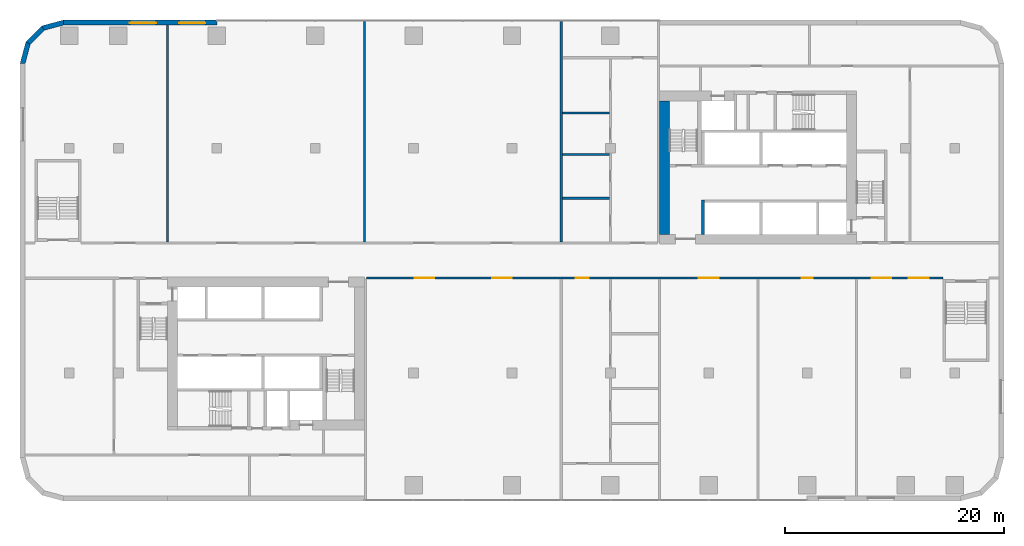
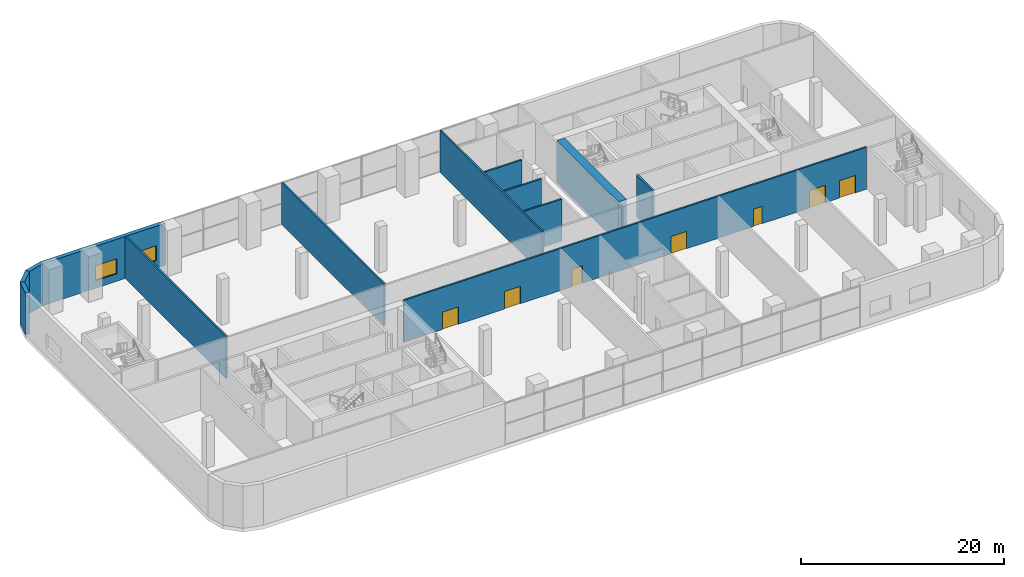
# One storey, part 11 of 21: 13 walls, 7 doors, 2 windows, 9 openings.
"""IFC4 building model written with IfcOpenShell, lengths in metres."""

from ifc_helpers import new_model, si_unit, direction, frame, frame_2d, origin, place, context, subcontext, project, spatial, polyline, rectangle, outline, extrude, material, layer, layer_set, type_object, element, fill, save


model = new_model("IFC4")

# Units and contexts
model_context = context("Model", 3, precision=1e-05, world=origin(), true_north=direction((0.0, 1.0)))
body_context = subcontext(model_context, "Body", "Model", "MODEL_VIEW")
ifc_project = project(units=[si_unit("LENGTHUNIT", "METRE"), si_unit("AREAUNIT", "SQUARE_METRE"), si_unit("VOLUMEUNIT", "CUBIC_METRE"), si_unit("PLANEANGLEUNIT", "RADIAN"), si_unit("MASSUNIT", "GRAM", prefix="KILO")], contexts=[model_context])

# Site, building, storey
site_placement = place(None, origin())
site = spatial("IfcSite", under=ifc_project, at=site_placement, CompositionType="ELEMENT")
building_placement = place(site_placement, origin())
building = spatial("IfcBuilding", under=site, at=building_placement, Name="Kajstack Hotel Tower", CompositionType="ELEMENT")
storey_placement = place(building_placement, frame((0.0, 0.0, 23.5)))
storey = spatial("IfcBuildingStorey", under=building, at=storey_placement, Name="L03", CompositionType="ELEMENT", Elevation=23.5)

# Wall
ifc_material_1 = material(Name="Concrete C60/75", Category="concrete")
ifc_layer_1 = layer(ifc_material_1, 0.89990234375)
ifc_layer_set_1 = layer_set([ifc_layer_1], Name="Core wall 900")
wall_type_1 = type_object("IfcWallType", Name="Core wall 900", PredefinedType="SHEAR", material=ifc_layer_set_1)
wall_1_placement = place(storey_placement, frame((13.949951171875, 2.39990234375, 0.0), z_axis=(0.0, 0.0, 1.0), x_axis=(0.0, 1.0, 0.0)))
element("IfcWall", 1, at=wall_1_placement, inside=storey, type_object=wall_type_1, Name="Core wall E RE", PredefinedType="SHEAR", context=body_context, shape_type="SweptSolid", body=[
    extrude(rectangle(XDim=12.2001953125, YDim=0.89990234375, at=frame_2d((6.10009765625, 0.0))), origin(), (0.0, 0.0, 1.0), 5.050048828125),
])

# Wall, openings, windows
ifc_material_2 = material(Name="Terracotta-faced brick masonry", Category="masonry")
ifc_layer_2 = layer(ifc_material_2, 0.449951171875)
ifc_layer_set_2 = layer_set([ifc_layer_2], Name="EW-TERRA")
wall_type_2 = type_object("IfcWallType", Name="EW-TERRA", PredefinedType="SOLIDWALL", material=ifc_layer_set_2)
wall_2_placement = place(storey_placement, frame((-27.0, 21.77490234375, 0.0), z_axis=(0.0, 0.0, 1.0), x_axis=(-1.0, 0.0, 0.0)))
wall_2 = element("IfcWall", 2, at=wall_2_placement, inside=storey, type_object=wall_type_2, Name="E-wall-L03-11-03", PredefinedType="SOLIDWALL", context=body_context, shape_type="SweptSolid", body=[
    extrude(rectangle(XDim=14.0, YDim=0.449951171875, at=frame_2d((7.0, 0.0))), origin(), (0.0, 0.0, 1.0), 5.050048828125),
])
opening_1_placement = place(wall_2_placement, frame((1.050048828125, 0.0, 0.89990234375)))
opening_1 = element("IfcOpeningElement", 3, at=opening_1_placement, cuts=wall_2, Name="Opening W4", PredefinedType="OPENING", context=body_context, shape_type="SweptSolid", body=[
    extrude(rectangle(XDim=2.39990234375, YDim=1.800048828125, at=frame_2d((1.199951171875, 0.89990234375))), frame((0.0, 0.23486328125, 0.0), z_axis=(0.0, -1.0, 0.0), x_axis=(1.0, 0.0, 0.0)), (0.0, 0.0, 1.0), 0.469970703125),
])
opening_2_placement = place(wall_2_placement, frame((5.550048828125, 0.0, 0.89990234375)))
opening_2 = element("IfcOpeningElement", 4, at=opening_2_placement, cuts=wall_2, Name="Opening W4", PredefinedType="OPENING", context=body_context, shape_type="SweptSolid", body=[
    extrude(rectangle(XDim=2.39990234375, YDim=1.800048828125, at=frame_2d((1.199951171875, 0.89990234375))), frame((0.0, 0.23486328125, 0.0), z_axis=(0.0, -1.0, 0.0), x_axis=(1.0, 0.0, 0.0)), (0.0, 0.0, 1.0), 0.469970703125),
])
ifc_material_3 = material(Name="Timber-aluminium window, triple glazed", Category="wood")
window_type = type_object("IfcWindowType", Name="WP1", PartitioningType="SINGLE_PANEL", PredefinedType="WINDOW", material=ifc_material_3)
window_1_placement = place(opening_1_placement, origin())
window_1 = element("IfcWindow", 5, at=window_1_placement, inside=storey, type_object=window_type, Name="Window W4 L03-11", OverallHeight=1.800048828125, OverallWidth=2.39990234375, PartitioningType="SINGLE_PANEL", PredefinedType="WINDOW", context=body_context, shape_type="SweptSolid", body=[
    extrude(rectangle(XDim=2.39990234375, YDim=1.800048828125, at=frame_2d((1.199951171875, 0.89990234375))), frame((0.0, 0.090087890625, 0.0), z_axis=(0.0, -1.0, 0.0), x_axis=(1.0, 0.0, 0.0)), (0.0, 0.0, 1.0), 0.06005859375),
])
fill(opening_1, window_1)
window_2_placement = place(opening_2_placement, origin())
window_2 = element("IfcWindow", 6, at=window_2_placement, inside=storey, type_object=window_type, Name="Window W4 L03-11", OverallHeight=1.800048828125, OverallWidth=2.39990234375, PartitioningType="SINGLE_PANEL", PredefinedType="WINDOW", context=body_context, shape_type="SweptSolid", body=[
    extrude(rectangle(XDim=2.39990234375, YDim=1.800048828125, at=frame_2d((1.199951171875, 0.89990234375))), frame((0.0, 0.090087890625, 0.0), z_axis=(0.0, -1.0, 0.0), x_axis=(1.0, 0.0, 0.0)), (0.0, 0.0, 1.0), 0.06005859375),
])
fill(opening_2, window_2)

# Walls
wall_3_placement = place(storey_placement, frame((-40.941650390625, 21.78271484375, 0.0), z_axis=(0.0, 0.0, 1.0), x_axis=(-0.965926999034, -0.25881466832, 0.0)))
element("IfcWall", 7, at=wall_3_placement, inside=storey, type_object=wall_type_2, Name="E-wall-L03-12-00", PredefinedType="SOLIDWALL", context=body_context, shape_type="SweptSolid", body=[
    extrude(outline(polyline([(0.000244140625, -0.22509765625), (2.070556640625, -0.224853515625), (1.9501953125, 0.22509765625), (0.12060546875, 0.22509765625), (0.000244140625, -0.22509765625)])), origin(), (0.0, 0.0, 1.0), 5.050048828125),
])
wall_4_placement = place(storey_placement, frame((-42.8408203125, 21.304931640625, 0.0), z_axis=(0.0, 0.0, 1.0), x_axis=(-0.707106781187, -0.707106781187, 0.0)))
element("IfcWall", 8, at=wall_4_placement, inside=storey, type_object=wall_type_2, Name="E-wall-L03-13-00", PredefinedType="SOLIDWALL", context=body_context, shape_type="SweptSolid", body=[
    extrude(outline(polyline([(0.0, -0.22509765625), (2.070556640625, -0.22509765625), (1.949951171875, 0.224853515625), (0.12060546875, 0.224853515625), (0.0, -0.22509765625)])), origin(), (0.0, 0.0, 1.0), 5.050048828125),
])
wall_5_placement = place(storey_placement, frame((-44.246826171875, 19.941650390625, 0.0), z_axis=(0.0, 0.0, 1.0), x_axis=(-0.25881466832, -0.965926999034, 0.0)))
element("IfcWall", 9, at=wall_5_placement, inside=storey, type_object=wall_type_2, Name="E-wall-L03-14-00", PredefinedType="SOLIDWALL", context=body_context, shape_type="SweptSolid", body=[
    extrude(outline(polyline([(-0.000244140625, -0.224853515625), (2.0703125, -0.22509765625), (1.949951171875, 0.22509765625), (0.120361328125, 0.22509765625), (-0.000244140625, -0.224853515625)])), origin(), (0.0, 0.0, 1.0), 5.050048828125),
])
ifc_material_4 = material(Name="Gypsum board on steel studs, mineral wool", Category="steel")
ifc_layer_3 = layer(ifc_material_4, 0.199951171875)
ifc_layer_set_3 = layer_set([ifc_layer_3], Name="Public partition 200")
wall_type_3 = type_object("IfcWallType", Name="Public partition 200", PredefinedType="PARTITIONING", material=ifc_layer_set_3)
for number, where, z_axis, x_axis, name in (
    (10, (4.60009765625, 5.699951171875, 0.0), (0.0, 0.0, 1.0), (1.0, 0.0, 0.0), "Partition C0wP0"),
    (11, (4.60009765625, 9.699951171875, 0.0), (0.0, 0.0, 1.0), (1.0, 0.0, 0.0), "Partition C0wP1"),
    (12, (4.60009765625, 13.5, 0.0), (0.0, 0.0, 1.0), (1.0, 0.0, 0.0), "Partition C0wP2"),
):
    element("IfcWall", number, at=place(storey_placement, frame(where, z_axis=z_axis, x_axis=x_axis)), inside=storey, type_object=wall_type_3, Name=name, PredefinedType="PARTITIONING", context=body_context, shape_type="SweptSolid", body=[
        extrude(rectangle(XDim=4.2998046875, YDim=0.199951171875, at=frame_2d((2.14990234375, 0.0))), origin(), (0.0, 0.0, 1.0), 5.050048828125),
    ])
for number, where, z_axis, x_axis, name in (
    (13, (4.5, 1.699951171875, 0.0), (0.0, 0.0, 1.0), (0.0, 1.0, 0.0), "Partition PX0"),
    (14, (-13.5, 1.699951171875, 0.0), (0.0, 0.0, 1.0), (0.0, 1.0, 0.0), "Partition PX1"),
):
    element("IfcWall", number, at=place(storey_placement, frame(where, z_axis=z_axis, x_axis=x_axis)), inside=storey, type_object=wall_type_3, Name=name, PredefinedType="PARTITIONING", context=body_context, shape_type="SweptSolid", body=[
        extrude(rectangle(XDim=20.150146484375, YDim=0.199951171875, at=frame_2d((10.0751953125, 0.0))), origin(), (0.0, 0.0, 1.0), 5.050048828125),
    ])
wall_6_placement = place(storey_placement, frame((-31.5, 1.699951171875, 0.0), z_axis=(0.0, 0.0, 1.0), x_axis=(0.0, 1.0, 0.0)))
element("IfcWall", 15, at=wall_6_placement, inside=storey, type_object=wall_type_3, Name="Partition PX2", PredefinedType="PARTITIONING", context=body_context, shape_type="SweptSolid", body=[
    extrude(rectangle(XDim=19.85009765625, YDim=0.199951171875, at=frame_2d((9.925048828125, 0.0))), origin(), (0.0, 0.0, 1.0), 5.050048828125),
])

# Wall, openings, doors
wall_7_placement = place(storey_placement, frame((-13.300048828125, -1.60009765625, 0.0), z_axis=(0.0, 0.0, 1.0), x_axis=(1.0, 0.0, 0.0)))
wall_7 = element("IfcWall", 16, at=wall_7_placement, inside=storey, type_object=wall_type_3, Name="Partition SFW", PredefinedType="PARTITIONING", context=body_context, shape_type="SweptSolid", body=[
    extrude(rectangle(XDim=52.699951171875, YDim=0.199951171875, at=frame_2d((26.35009765625, 0.0))), origin(), (0.0, 0.0, 1.0), 5.050048828125),
])
opening_3_placement = place(wall_7_placement, frame((4.409912109375, 0.0, 0.0)))
opening_3 = element("IfcOpeningElement", 17, at=opening_3_placement, cuts=wall_7, Name="Opening 03P12", PredefinedType="OPENING", context=body_context, shape_type="SweptSolid", body=[
    extrude(rectangle(XDim=1.800048828125, YDim=2.10009765625, at=frame_2d((0.89990234375, 1.050048828125))), frame((0.0, 0.10986328125, 0.0), z_axis=(0.0, -1.0, 0.0), x_axis=(1.0, 0.0, 0.0)), (0.0, 0.0, 1.0), 0.219970703125),
])
opening_4_placement = place(wall_7_placement, frame((11.489990234375, 0.0, 0.0)))
opening_4 = element("IfcOpeningElement", 18, at=opening_4_placement, cuts=wall_7, Name="Opening 03P13", PredefinedType="OPENING", context=body_context, shape_type="SweptSolid", body=[
    extrude(rectangle(XDim=1.800048828125, YDim=2.10009765625, at=frame_2d((0.89990234375, 1.050048828125))), frame((0.0, 0.10986328125, 0.0), z_axis=(0.0, -1.0, 0.0), x_axis=(1.0, 0.0, 0.0)), (0.0, 0.0, 1.0), 0.219970703125),
])
opening_5_placement = place(wall_7_placement, frame((19.125, 0.0, 0.0)))
opening_5 = element("IfcOpeningElement", 19, at=opening_5_placement, cuts=wall_7, Name="Opening 03P14", PredefinedType="OPENING", context=body_context, shape_type="SweptSolid", body=[
    extrude(rectangle(XDim=1.199951171875, YDim=2.10009765625, at=frame_2d((0.60009765625, 1.050048828125))), frame((0.0, 0.10986328125, 0.0), z_axis=(0.0, -1.0, 0.0), x_axis=(1.0, 0.0, 0.0)), (0.0, 0.0, 1.0), 0.219970703125),
])
opening_6_placement = place(wall_7_placement, frame((30.39990234375, 0.0, 0.0)))
opening_6 = element("IfcOpeningElement", 20, at=opening_6_placement, cuts=wall_7, Name="Opening 03P20", PredefinedType="OPENING", context=body_context, shape_type="SweptSolid", body=[
    extrude(rectangle(XDim=1.800048828125, YDim=2.10009765625, at=frame_2d((0.89990234375, 1.050048828125))), frame((0.0, 0.10986328125, 0.0), z_axis=(0.0, -1.0, 0.0), x_axis=(1.0, 0.0, 0.0)), (0.0, 0.0, 1.0), 0.219970703125),
])
opening_7_placement = place(wall_7_placement, frame((39.800048828125, 0.0, 0.0)))
opening_7 = element("IfcOpeningElement", 21, at=opening_7_placement, cuts=wall_7, Name="Opening 03P21", PredefinedType="OPENING", context=body_context, shape_type="SweptSolid", body=[
    extrude(rectangle(XDim=1.0, YDim=2.10009765625, at=frame_2d((0.5, 1.050048828125))), frame((0.0, 0.10986328125, 0.0), z_axis=(0.0, -1.0, 0.0), x_axis=(1.0, 0.0, 0.0)), (0.0, 0.0, 1.0), 0.219970703125),
])
opening_8_placement = place(wall_7_placement, frame((46.199951171875, 0.0, 0.0)))
opening_8 = element("IfcOpeningElement", 22, at=opening_8_placement, cuts=wall_7, Name="Opening 03P22", PredefinedType="OPENING", context=body_context, shape_type="SweptSolid", body=[
    extrude(rectangle(XDim=1.800048828125, YDim=2.10009765625, at=frame_2d((0.89990234375, 1.050048828125))), frame((0.0, 0.10986328125, 0.0), z_axis=(0.0, -1.0, 0.0), x_axis=(1.0, 0.0, 0.0)), (0.0, 0.0, 1.0), 0.219970703125),
])
opening_9_placement = place(wall_7_placement, frame((49.60009765625, 0.0, 0.0)))
opening_9 = element("IfcOpeningElement", 23, at=opening_9_placement, cuts=wall_7, Name="Opening 03P23", PredefinedType="OPENING", context=body_context, shape_type="SweptSolid", body=[
    extrude(rectangle(XDim=1.800048828125, YDim=2.10009765625, at=frame_2d((0.89990234375, 1.050048828125))), frame((0.0, 0.10986328125, 0.0), z_axis=(0.0, -1.0, 0.0), x_axis=(1.0, 0.0, 0.0)), (0.0, 0.0, 1.0), 0.219970703125),
])
ifc_material_5 = material(Name="Timber leaf, fire-rated", Category="wood")
door_type_1 = type_object("IfcDoorType", Name="Public corridor door 1200", OperationType="SINGLE_SWING_LEFT", PredefinedType="DOOR", material=ifc_material_5)
door_1_placement = place(opening_5_placement, origin())
door_1 = element("IfcDoor", 24, at=door_1_placement, inside=storey, type_object=door_type_1, Name="Door 03P14", OperationType="SINGLE_SWING_RIGHT", OverallHeight=2.10009765625, OverallWidth=1.199951171875, PredefinedType="DOOR", context=body_context, shape_type="SweptSolid", body=[
    extrude(rectangle(XDim=1.199951171875, YDim=2.10009765625, at=frame_2d((0.60009765625, 1.050048828125))), frame((0.0, 0.02490234375, 0.0), z_axis=(0.0, -1.0, 0.0), x_axis=(1.0, 0.0, 0.0)), (0.0, 0.0, 1.0), 0.050048828125),
])
fill(opening_5, door_1)
ifc_material_6 = material(Name="Glazed timber frame, fire-rated glass", Category="wood")
door_type_2 = type_object("IfcDoorType", Name="Public double door 1800", OperationType="DOUBLE_DOOR_DOUBLE_SWING", PredefinedType="DOOR", material=ifc_material_6)
door_2_placement = place(opening_3_placement, origin())
door_2 = element("IfcDoor", 25, at=door_2_placement, inside=storey, type_object=door_type_2, Name="Door 03P12", OperationType="DOUBLE_DOOR_DOUBLE_SWING", OverallHeight=2.10009765625, OverallWidth=1.800048828125, PredefinedType="DOOR", context=body_context, shape_type="SweptSolid", body=[
    extrude(rectangle(XDim=1.800048828125, YDim=2.10009765625, at=frame_2d((0.89990234375, 1.050048828125))), frame((0.0, 0.02490234375, 0.0), z_axis=(0.0, -1.0, 0.0), x_axis=(1.0, 0.0, 0.0)), (0.0, 0.0, 1.0), 0.050048828125),
])
fill(opening_3, door_2)
door_3_placement = place(opening_4_placement, origin())
door_3 = element("IfcDoor", 26, at=door_3_placement, inside=storey, type_object=door_type_2, Name="Door 03P13", OperationType="DOUBLE_DOOR_DOUBLE_SWING", OverallHeight=2.10009765625, OverallWidth=1.800048828125, PredefinedType="DOOR", context=body_context, shape_type="SweptSolid", body=[
    extrude(rectangle(XDim=1.800048828125, YDim=2.10009765625, at=frame_2d((0.89990234375, 1.050048828125))), frame((0.0, 0.02490234375, 0.0), z_axis=(0.0, -1.0, 0.0), x_axis=(1.0, 0.0, 0.0)), (0.0, 0.0, 1.0), 0.050048828125),
])
fill(opening_4, door_3)
door_4_placement = place(opening_6_placement, origin())
door_4 = element("IfcDoor", 27, at=door_4_placement, inside=storey, type_object=door_type_2, Name="Door 03P20", OperationType="DOUBLE_DOOR_DOUBLE_SWING", OverallHeight=2.10009765625, OverallWidth=1.800048828125, PredefinedType="DOOR", context=body_context, shape_type="SweptSolid", body=[
    extrude(rectangle(XDim=1.800048828125, YDim=2.10009765625, at=frame_2d((0.89990234375, 1.050048828125))), frame((0.0, 0.02490234375, 0.0), z_axis=(0.0, -1.0, 0.0), x_axis=(1.0, 0.0, 0.0)), (0.0, 0.0, 1.0), 0.050048828125),
])
fill(opening_6, door_4)
door_5_placement = place(opening_8_placement, origin())
door_5 = element("IfcDoor", 28, at=door_5_placement, inside=storey, type_object=door_type_2, Name="Door 03P22", OperationType="DOUBLE_DOOR_DOUBLE_SWING", OverallHeight=2.10009765625, OverallWidth=1.800048828125, PredefinedType="DOOR", context=body_context, shape_type="SweptSolid", body=[
    extrude(rectangle(XDim=1.800048828125, YDim=2.10009765625, at=frame_2d((0.89990234375, 1.050048828125))), frame((0.0, 0.02490234375, 0.0), z_axis=(0.0, -1.0, 0.0), x_axis=(1.0, 0.0, 0.0)), (0.0, 0.0, 1.0), 0.050048828125),
])
fill(opening_8, door_5)
door_6_placement = place(opening_9_placement, origin())
door_6 = element("IfcDoor", 29, at=door_6_placement, inside=storey, type_object=door_type_2, Name="Door 03P23", OperationType="DOUBLE_DOOR_DOUBLE_SWING", OverallHeight=2.10009765625, OverallWidth=1.800048828125, PredefinedType="DOOR", context=body_context, shape_type="SweptSolid", body=[
    extrude(rectangle(XDim=1.800048828125, YDim=2.10009765625, at=frame_2d((0.89990234375, 1.050048828125))), frame((0.0, 0.02490234375, 0.0), z_axis=(0.0, -1.0, 0.0), x_axis=(1.0, 0.0, 0.0)), (0.0, 0.0, 1.0), 0.050048828125),
])
fill(opening_9, door_6)
ifc_material_7 = material(Name="Timber leaf", Category="wood")
door_type_3 = type_object("IfcDoorType", Name="Public room door 1000", OperationType="SINGLE_SWING_LEFT", PredefinedType="DOOR", material=ifc_material_7)
door_7_placement = place(opening_7_placement, origin())
door_7 = element("IfcDoor", 30, at=door_7_placement, inside=storey, type_object=door_type_3, Name="Door 03P21", OperationType="SINGLE_SWING_RIGHT", OverallHeight=2.10009765625, OverallWidth=1.0, PredefinedType="DOOR", context=body_context, shape_type="SweptSolid", body=[
    extrude(rectangle(XDim=1.0, YDim=2.10009765625, at=frame_2d((0.5, 1.050048828125))), frame((0.0, 0.02490234375, 0.0), z_axis=(0.0, -1.0, 0.0), x_axis=(1.0, 0.0, 0.0)), (0.0, 0.0, 1.0), 0.050048828125),
])
fill(opening_7, door_7)

# Wall
ifc_material_8 = material(Name="Concrete C50/60", Category="concrete")
ifc_layer_4 = layer(ifc_material_8, 0.25)
ifc_layer_set_4 = layer_set([ifc_layer_4], Name="Shaft wall 250")
wall_type_4 = type_object("IfcWallType", Name="Shaft wall 250", PredefinedType="SHEAR", material=ifc_layer_set_4)
wall_8_placement = place(storey_placement, frame((17.47509765625, 2.39990234375, 0.0), z_axis=(0.0, 0.0, 1.0), x_axis=(0.0, 1.0, 0.0)))
element("IfcWall", 31, at=wall_8_placement, inside=storey, type_object=wall_type_4, Name="Core wall E AE", PredefinedType="SHEAR", context=body_context, shape_type="SweptSolid", body=[
    extrude(rectangle(XDim=3.150146484375, YDim=0.25, at=frame_2d((1.5751953125, 0.0))), origin(), (0.0, 0.0, 1.0), 5.050048828125),
])

save(model, "model.ifc")
